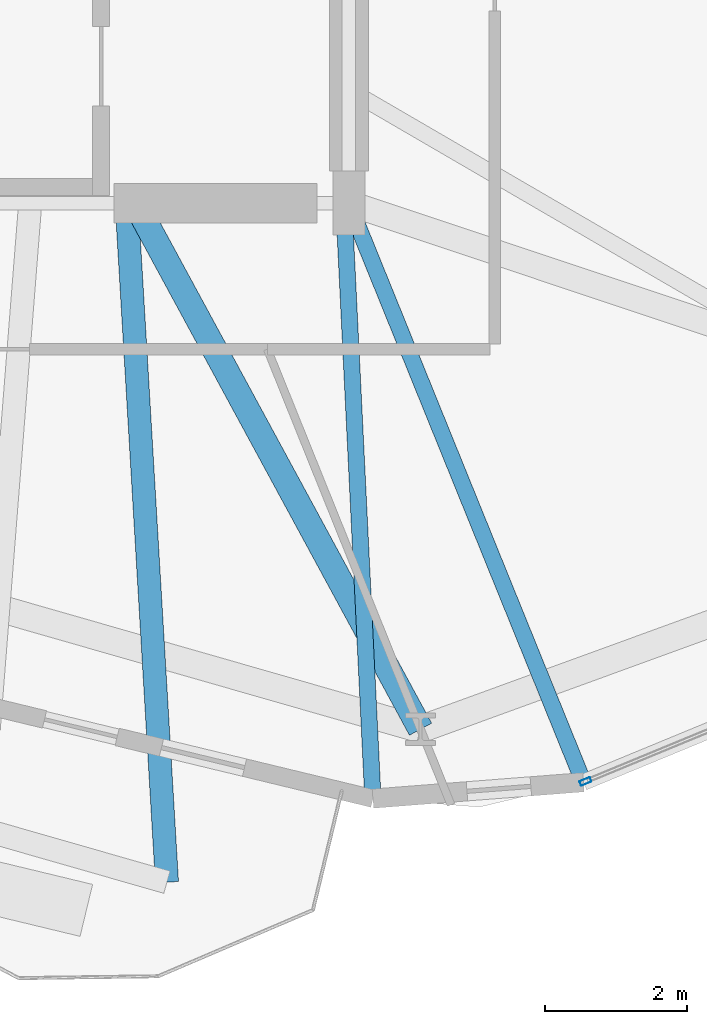
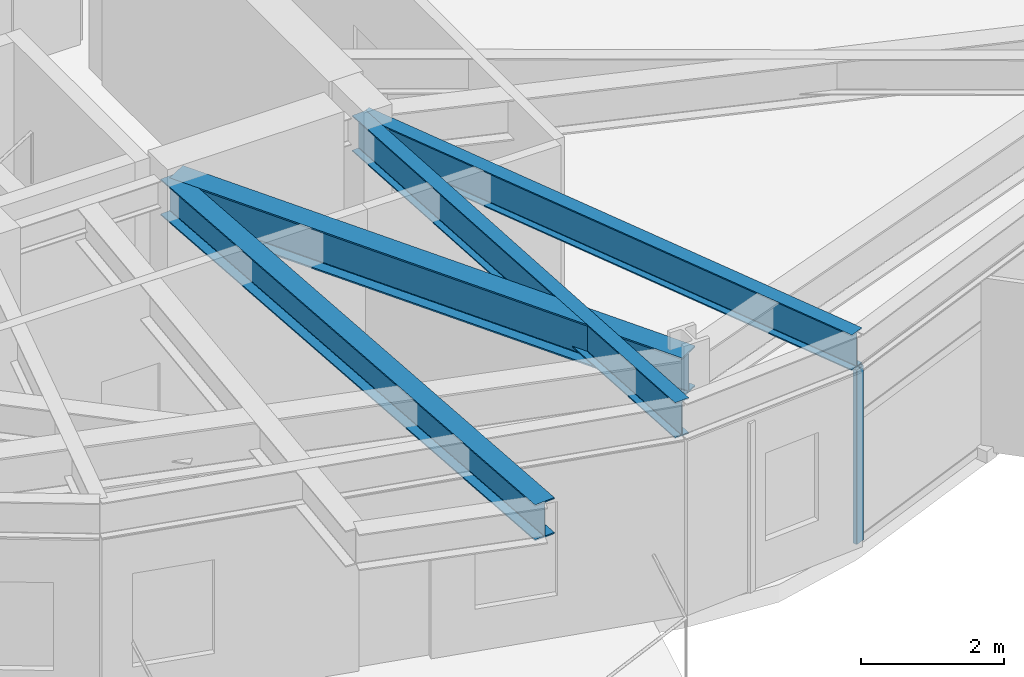
# One storey, part 4 of 21: 4 beams, 1 member, 1 element without a shape of its own.
"""IFC4 building model written with IfcOpenShell, lengths in metres."""

from ifc_helpers import new_model, si_unit, direction, frame, origin, origin_2d, place, context, subcontext, project, spatial, hollow_rectangle, i_section, extrude, material, layer, layer_set, material_profile, profile_set, type_object, element, aggregate, save


model = new_model("IFC4")

# Units and contexts
model_context = context("Model", 3, precision=1e-05, world=origin(), true_north=direction((0.0, 1.0)))
body_context = subcontext(model_context, "Body", "Model", "MODEL_VIEW")
ifc_project = project(units=[si_unit("LENGTHUNIT", "METRE"), si_unit("AREAUNIT", "SQUARE_METRE"), si_unit("VOLUMEUNIT", "CUBIC_METRE"), si_unit("PLANEANGLEUNIT", "RADIAN"), si_unit("MASSUNIT", "GRAM", prefix="KILO")], contexts=[model_context])

# Site, building, storey
site_placement = place(None, origin())
site = spatial("IfcSite", under=ifc_project, at=site_placement, CompositionType="ELEMENT")
building_placement = place(site_placement, origin())
building = spatial("IfcBuilding", under=site, at=building_placement, Name="Soratama Intermodal Tower", CompositionType="ELEMENT")
storey_placement = place(building_placement, frame((0.0, 0.0, 114.699951171875)))
storey = spatial("IfcBuildingStorey", under=building, at=storey_placement, Name="L27", CompositionType="ELEMENT", Elevation=114.699951171875)

# Beams
ifc_material_1 = material(Name="Structural steel ASTM A992 Grade 50", Category="steel")
ifc_material_profile_1 = material_profile(ifc_material_1, i_section(OverallWidth=0.324951171875, OverallDepth=0.615966796875, WebThickness=0.013916015625, FlangeThickness=0.021484375, FilletRadius=0.013916015625, at=origin_2d()), Name="W24X117")
ifc_profile_set_1 = profile_set([ifc_material_profile_1], Name="Structural steel ASTM A992 Grade 50")
beam_type_1 = type_object("IfcBeamType", Name="BM-CANT-W24X117", PredefinedType="BEAM", material=ifc_profile_set_1)
beam_1_placement = place(storey_placement, frame((41.48095703125, 14.9599609375, 3.2919921875), z_axis=(0.059278606999, -0.998241477175, 0.0), x_axis=(0.998241477175, 0.059278606999, 0.0)))
element("IfcBeam", 1, at=beam_1_placement, inside=storey, type_object=beam_type_1, Name="BM-L27-CANT-3-2", PredefinedType="BEAM", context=body_context, shape_type="SweptSolid", body=[
    extrude(i_section(OverallWidth=0.324951171875, OverallDepth=0.615966796875, WebThickness=0.013916015625, FlangeThickness=0.021484375, FilletRadius=0.013916015625, at=origin_2d()), origin(), (0.0, 0.0, 1.0), 9.513916015625),
])
ifc_material_2 = material(Name="Structural steel ASTM A992 Grade 50", Category="steel")
ifc_material_profile_2 = material_profile(ifc_material_2, i_section(OverallWidth=0.35498046875, OverallDepth=0.695068359375, WebThickness=0.015380859375, FlangeThickness=0.02490234375, FilletRadius=0.01611328125, at=origin_2d()), Name="W27X146")
ifc_profile_set_2 = profile_set([ifc_material_profile_2], Name="Structural steel ASTM A992 Grade 50")
beam_type_2 = type_object("IfcBeamType", Name="BM-RING-W27X146", PredefinedType="BEAM", material=ifc_profile_set_2)
beam_2_placement = place(storey_placement, frame((41.60009765625, 15.0, 3.25244140625), z_axis=(0.476697610532, -0.879067339919, 0.0), x_axis=(0.879067339919, 0.476697610532, 0.0)))
element("IfcBeam", 2, at=beam_2_placement, inside=storey, type_object=beam_type_2, Name="BM-L27-RAD-08", PredefinedType="BEAM", context=body_context, shape_type="SweptSolid", body=[
    extrude(i_section(OverallWidth=0.35498046875, OverallDepth=0.695068359375, WebThickness=0.015380859375, FlangeThickness=0.02490234375, FilletRadius=0.01611328125, at=origin_2d()), origin(), (0.0, 0.0, 1.0), 8.405517578125),
])
ifc_material_3 = material(Name="Structural steel ASTM A992 Grade 50", Category="steel")
ifc_material_profile_3 = material_profile(ifc_material_3, i_section(OverallWidth=0.22900390625, OverallDepth=0.612060546875, WebThickness=0.011962890625, FlangeThickness=0.01953125, FilletRadius=0.012939453125, at=origin_2d()), Name="W24X84")
ifc_profile_set_3 = profile_set([ifc_material_profile_3], Name="Structural steel ASTM A992 Grade 50")
beam_type_3 = type_object("IfcBeamType", Name="BM-TIE-W24X84", PredefinedType="BEAM", material=ifc_profile_set_3)
beam_3_placement = place(storey_placement, frame((44.530029296875, 14.9599609375, 3.2939453125), z_axis=(0.048951363661, -0.998801163393, 0.0), x_axis=(0.998801163393, 0.048951363661, 0.0)))
element("IfcBeam", 3, at=beam_3_placement, inside=storey, type_object=beam_type_3, Name="BM-L27-TIE1-07", PredefinedType="BEAM", context=body_context, shape_type="SweptSolid", body=[
    extrude(i_section(OverallWidth=0.22900390625, OverallDepth=0.612060546875, WebThickness=0.011962890625, FlangeThickness=0.01953125, FilletRadius=0.012939453125, at=origin_2d()), origin(), (0.0, 0.0, 1.0), 8.333984375),
])
beam_4_placement = place(storey_placement, frame((44.612060546875, 14.962890625, 3.2939453125), z_axis=(0.375842603972, -0.926683515036, 0.0), x_axis=(0.926683515036, 0.375842603972, 0.0)))
element("IfcBeam", 4, at=beam_4_placement, inside=storey, type_object=beam_type_3, Name="BM-L27-TIE0-08", PredefinedType="BEAM", context=body_context, shape_type="SweptSolid", body=[
    extrude(i_section(OverallWidth=0.22900390625, OverallDepth=0.612060546875, WebThickness=0.011962890625, FlangeThickness=0.01953125, FilletRadius=0.012939453125, at=origin_2d()), origin(), (0.0, 0.0, 1.0), 8.737548828125),
])

# Curtain wall, member
ifc_material_4 = material(Name="Double-glazed aluminium curtain wall", Category="aluminium")
ifc_layer = layer(ifc_material_4, 0.159912109375)
ifc_layer_set = layer_set([ifc_layer], Name="Double-glazed aluminium curtain wall")
curtain_wall_type = type_object("IfcCurtainWallType", Name="CW-SYS-3", PredefinedType="NOTDEFINED", material=ifc_layer_set)
curtain_wall_placement = place(storey_placement, origin())
curtain_wall = element("IfcCurtainWall", 5, at=curtain_wall_placement, inside=storey, type_object=curtain_wall_type, Name="L27 Faceted Curtain Wall F08", PredefinedType="NOTDEFINED")
ifc_material_5 = material(Name="Anodised aluminium AA 6063-T6", Category="aluminium")
ifc_material_profile_4 = material_profile(ifc_material_5, hollow_rectangle(XDim=0.070068359375, YDim=0.159912109375, WallThickness=0.0048828125, InnerFilletRadius=0.0048828125, OuterFilletRadius=0.010009765625, at=origin_2d()), Name="CWM160X70X5")
ifc_profile_set_4 = profile_set([ifc_material_profile_4], Name="Anodised aluminium AA 6063-T6")
member_type = type_object("IfcMemberType", Name="MT-CWM-3", PredefinedType="MULLION", material=ifc_profile_set_4)
member_placement = place(storey_placement, frame((47.923583984375, 6.877685546875, 0.0), z_axis=(0.0, 0.0, 1.0), x_axis=(-0.3817175043, 0.924279041692, 0.0)))
member = element("IfcMember", 6, at=member_placement, type_object=member_type, Name="CW-3 mullion 1", PredefinedType="MULLION", context=body_context, shape_type="SweptSolid", body=[
    extrude(hollow_rectangle(XDim=0.070068359375, YDim=0.159912109375, WallThickness=0.0048828125, InnerFilletRadius=0.0048828125, OuterFilletRadius=0.010009765625, at=origin_2d()), origin(), (0.0, 0.0, 1.0), 2.97900390625),
])
aggregate(curtain_wall, [member])

save(model, "model.ifc")
